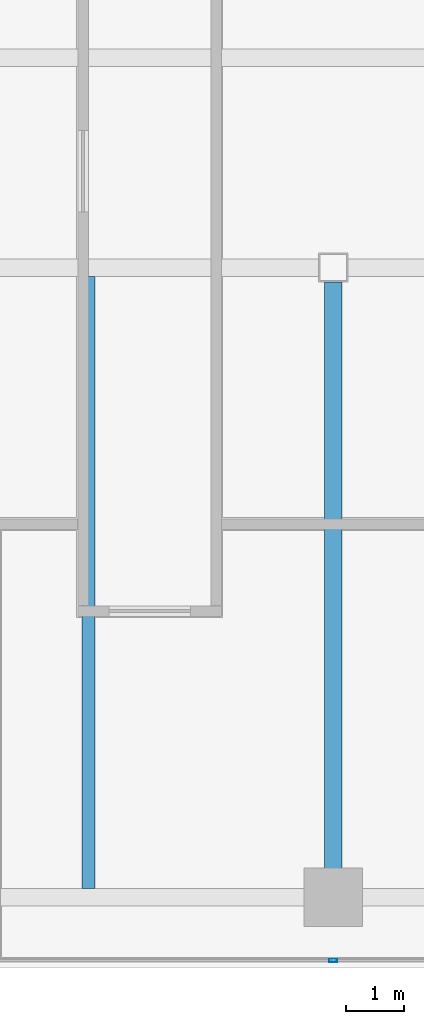
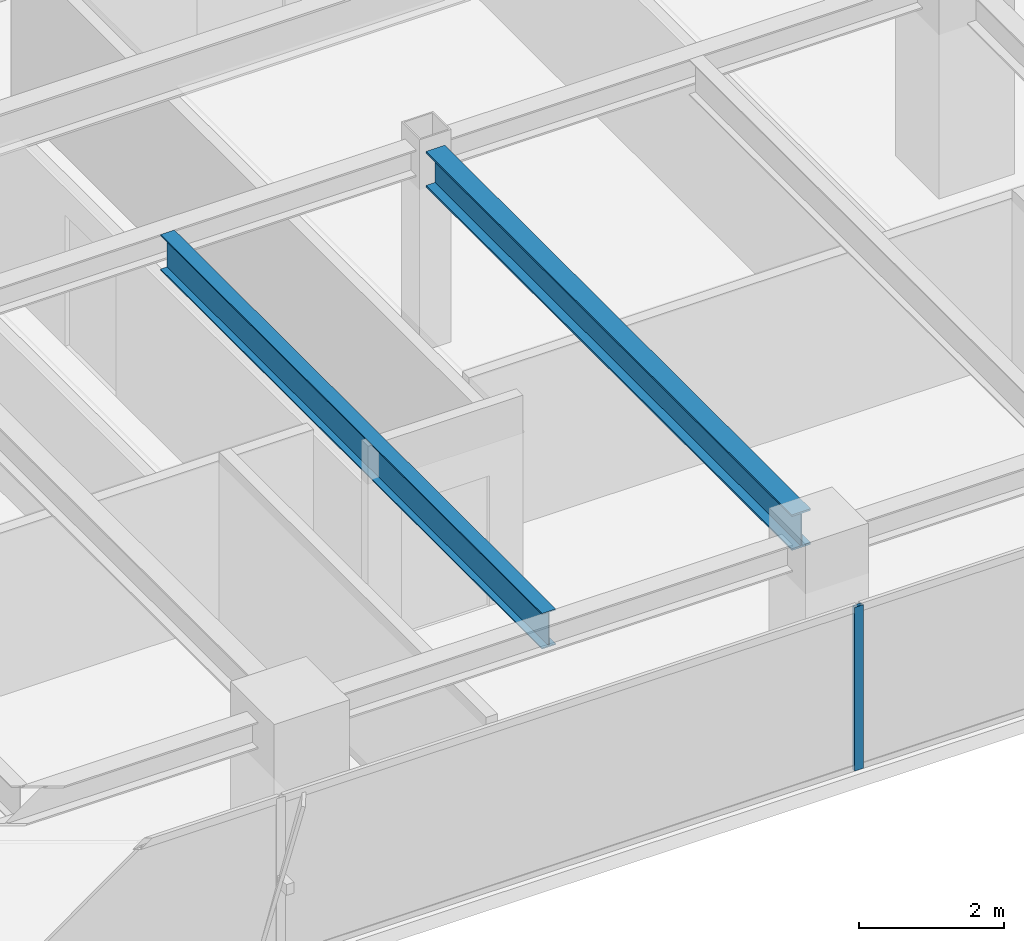
# One storey, part 6 of 26: 2 beams, 1 member, 1 element without a shape of its own.
"""IFC4 building model written with IfcOpenShell, lengths in metres."""

from ifc_helpers import new_model, si_unit, direction, frame, origin, origin_2d, place, context, subcontext, project, spatial, hollow_rectangle, i_section, extrude, source, transform, mapped, material, layer, layer_set, material_profile, profile_set, type_object, element, aggregate, save


model = new_model("IFC4")

# Units and contexts
model_context = context("Model", 3, precision=1e-05, world=origin(), true_north=direction((0.0, 1.0)))
body_context = subcontext(model_context, "Body", "Model", "MODEL_VIEW")
ifc_project = project(units=[si_unit("LENGTHUNIT", "METRE"), si_unit("AREAUNIT", "SQUARE_METRE"), si_unit("VOLUMEUNIT", "CUBIC_METRE"), si_unit("PLANEANGLEUNIT", "RADIAN"), si_unit("MASSUNIT", "GRAM", prefix="KILO")], contexts=[model_context])

# Site, building, storey
site_placement = place(None, origin())
site = spatial("IfcSite", under=ifc_project, at=site_placement, CompositionType="ELEMENT")
building_placement = place(site_placement, origin())
building = spatial("IfcBuilding", under=site, at=building_placement, Name="Sumidabori Civic Tower", CompositionType="ELEMENT")
storey_placement = place(building_placement, frame((0.0, 0.0, 264.800048828125)))
storey = spatial("IfcBuildingStorey", under=building, at=storey_placement, Name="L69", CompositionType="ELEMENT", Elevation=264.800048828125)

# Beams
ifc_material_1 = material(Name="Steel SN490", Category="steel")
ifc_material_profile_1 = material_profile(ifc_material_1, i_section(OverallWidth=0.300048828125, OverallDepth=0.60009765625, WebThickness=0.015380859375, FlangeThickness=0.030029296875, at=origin_2d()), Name="HE 600 B")
ifc_profile_set_1 = profile_set([ifc_material_profile_1], Name="Steel SN490")
beam_type_1 = type_object("IfcBeamType", Name="BM-GIRD-600", PredefinedType="BEAM", material=ifc_profile_set_1)
shared_shape_1 = source(origin(), body_context, "Body", "SweptSolid", [
    extrude(i_section(OverallWidth=0.300048828125, OverallDepth=0.60009765625, WebThickness=0.015380859375, FlangeThickness=0.030029296875, at=origin_2d()), origin(), (0.0, 0.0, 1.0), 10.070068359375),
])
beam_1_placement = place(storey_placement, frame((0.0, -10.320068359375, 3.070068359375), z_axis=(0.0, 1.0, 0.0), x_axis=(-1.0, 0.0, 0.0)))
element("IfcBeam", 1, at=beam_1_placement, inside=storey, type_object=beam_type_1, Name="Primary Girder L69 GY-13", PredefinedType="BEAM", context=body_context, shape_type="MappedRepresentation", body=[
    mapped(shared_shape_1, transform((0.0, 0.0, 0.0), x_axis=(1.0, 0.0, 0.0), y_axis=(0.0, 1.0, 0.0), z_axis=(0.0, 0.0, 1.0), scale=1.0)),
])
ifc_material_profile_2 = material_profile(ifc_material_1, i_section(OverallWidth=0.219970703125, OverallDepth=0.60009765625, WebThickness=0.011962890625, FlangeThickness=0.01904296875, at=origin_2d()), Name="IPE 600")
ifc_profile_set_2 = profile_set([ifc_material_profile_2], Name="Steel SN490")
beam_type_2 = type_object("IfcBeamType", Name="BM-JST-600", PredefinedType="JOIST", material=ifc_profile_set_2)
shared_shape_2 = source(origin(), body_context, "Body", "SweptSolid", [
    extrude(i_section(OverallWidth=0.219970703125, OverallDepth=0.60009765625, WebThickness=0.011962890625, FlangeThickness=0.01904296875, at=origin_2d()), origin(), (0.0, 0.0, 1.0), 10.5),
])
beam_2_placement = place(storey_placement, frame((-4.199951171875, -10.64990234375, 3.070068359375), z_axis=(0.0, 1.0, 0.0), x_axis=(-1.0, 0.0, 0.0)))
element("IfcBeam", 2, at=beam_2_placement, inside=storey, type_object=beam_type_2, Name="Upper Lens N-S Floor Joist L69 JSTV-21", PredefinedType="JOIST", context=body_context, shape_type="MappedRepresentation", body=[
    mapped(shared_shape_2, transform((0.0, 0.0, 0.0), x_axis=(1.0, 0.0, 0.0), y_axis=(0.0, 1.0, 0.0), z_axis=(0.0, 0.0, 1.0), scale=1.0)),
])

# Curtain wall, member
ifc_material_2 = material(Name="Anodised Bronze Aluminium AW-6063-T6", Category="aluminium")
ifc_layer = layer(ifc_material_2, 0.179931640625, Name="Anodised Bronze Aluminium AW-6063-T6")
ifc_layer_set = layer_set([ifc_layer], Name="Anodised Bronze Aluminium AW-6063-T6")
curtain_wall_type = type_object("IfcCurtainWallType", Name="CW-SYS-5", PredefinedType="NOTDEFINED", material=ifc_layer_set)
curtain_wall_placement = place(storey_placement, origin())
curtain_wall = element("IfcCurtainWall", 3, at=curtain_wall_placement, inside=storey, type_object=curtain_wall_type, Name="Curtain Wall CW:L69:R01", PredefinedType="NOTDEFINED")
ifc_material_profile_3 = material_profile(ifc_material_2, hollow_rectangle(XDim=0.06005859375, YDim=0.139892578125, WallThickness=0.0048828125, at=origin_2d()), Name="ALU MULLION 140x60")
ifc_profile_set_3 = profile_set([ifc_material_profile_3], Name="Anodised Bronze Aluminium AW-6063-T6")
member_type = type_object("IfcMemberType", Name="CW-MUL-140", PredefinedType="MULLION", material=ifc_profile_set_3)
shared_shape_3 = source(origin(), body_context, "Body", "SweptSolid", [
    extrude(hollow_rectangle(XDim=0.06005859375, YDim=0.139892578125, WallThickness=0.0048828125, at=origin_2d()), origin(), (0.0, 0.0, 1.0), 2.75),
])
member_placement = place(storey_placement, frame((0.0, -11.8798828125, 0.0), z_axis=(0.0, 0.0, 1.0), x_axis=(0.0, 1.0, 0.0)))
member = element("IfcMember", 4, at=member_placement, type_object=member_type, Name="CW-5 mullion 3", PredefinedType="MULLION", context=body_context, shape_type="MappedRepresentation", body=[
    mapped(shared_shape_3, transform((0.0, 0.0, 0.0), x_axis=(1.0, 0.0, 0.0), y_axis=(0.0, 1.0, 0.0), z_axis=(0.0, 0.0, 1.0), scale=1.0)),
])
aggregate(curtain_wall, [member])

save(model, "model.ifc")
